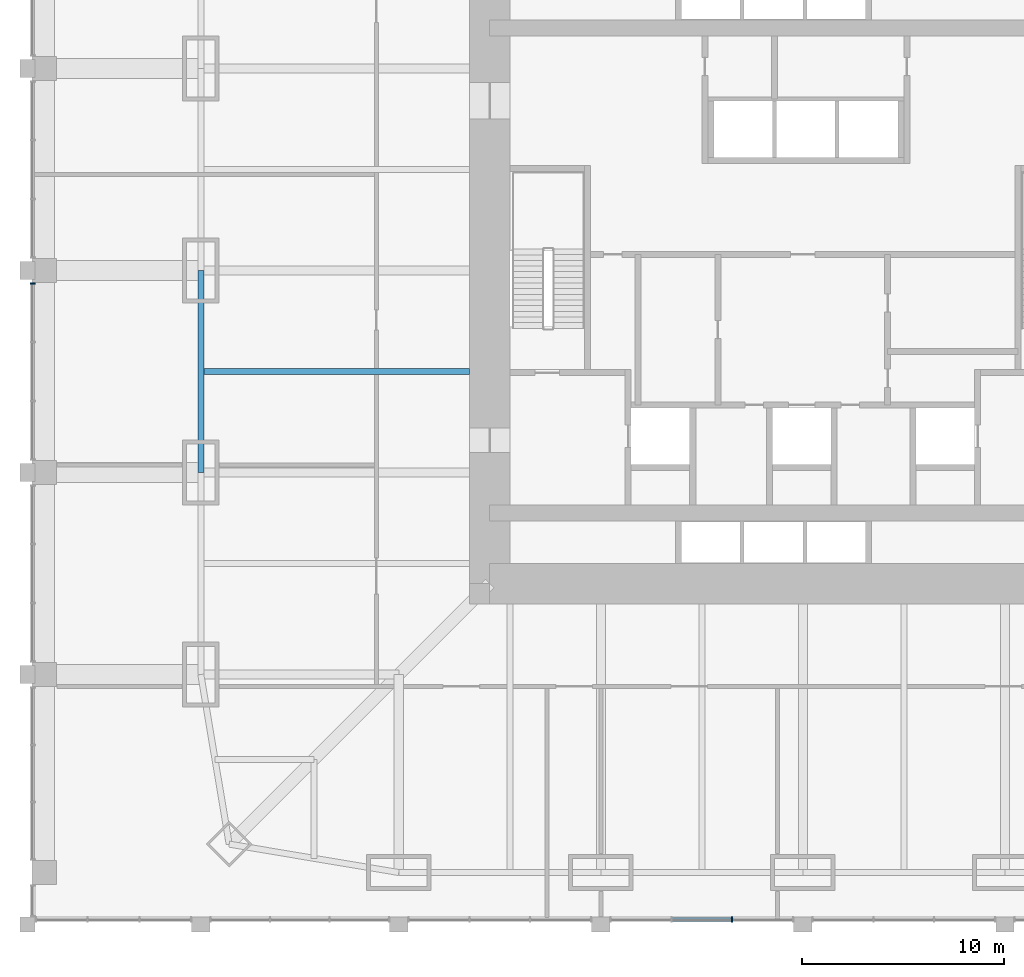
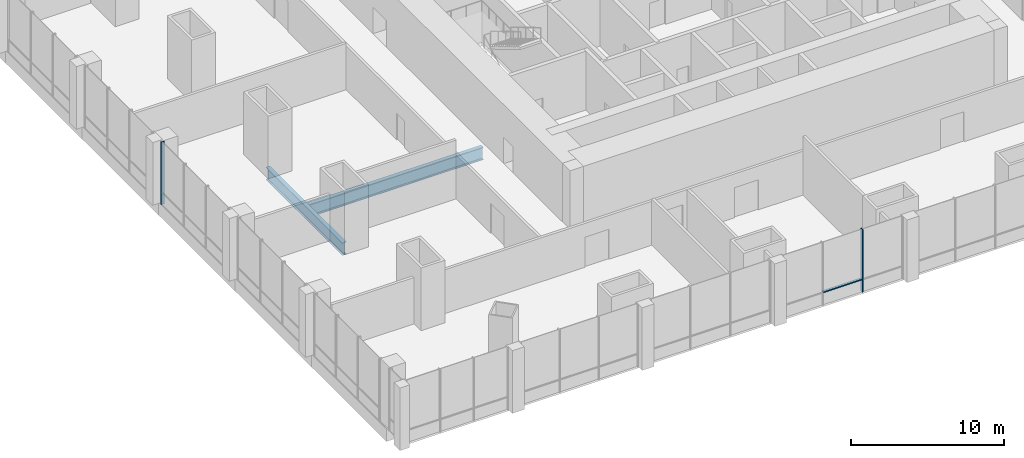
# One storey, part 3 of 24: 3 members, 2 beams, 2 elements without a shape of their own.
"""IFC4 building model written with IfcOpenShell, lengths in metres."""

from ifc_helpers import new_model, si_unit, direction, frame, origin, origin_2d, place, context, subcontext, project, spatial, rectangle, i_section, extrude, material, material_profile, profile_set, type_object, element, aggregate, save


model = new_model("IFC4")

# Units and contexts
model_context = context("Model", 3, precision=1e-05, world=origin(), true_north=direction((0.0, 1.0)))
body_context = subcontext(model_context, "Body", "Model", "MODEL_VIEW")
ifc_project = project(units=[si_unit("LENGTHUNIT", "METRE"), si_unit("AREAUNIT", "SQUARE_METRE"), si_unit("VOLUMEUNIT", "CUBIC_METRE"), si_unit("PLANEANGLEUNIT", "RADIAN"), si_unit("MASSUNIT", "GRAM", prefix="KILO")], contexts=[model_context])

# Site, building, storey
site_placement = place(None, origin())
site = spatial("IfcSite", under=ifc_project, at=site_placement, CompositionType="ELEMENT")
building_placement = place(site_placement, origin())
building = spatial("IfcBuilding", under=site, at=building_placement, Name="Khuree Lantern Residences", CompositionType="ELEMENT")
storey_placement = place(building_placement, frame((0.0, 0.0, 6.0)))
storey = spatial("IfcBuildingStorey", under=building, at=storey_placement, Name="L01", CompositionType="ELEMENT", Elevation=6.0)

# Beams
ifc_material_1 = material(Name="Steel S355", Category="steel")
ifc_material_profile_1 = material_profile(ifc_material_1, i_section(OverallWidth=0.300048828125, OverallDepth=1.0, WebThickness=0.01904296875, FlangeThickness=0.035888671875, FilletRadius=0.030029296875, at=origin_2d()), Name="HE 1000 B")
ifc_profile_set_1 = profile_set([ifc_material_profile_1], Name="Steel S355")
beam_type_1 = type_object("IfcBeamType", Name="B-01 SECONDARY BEAM HE 1000 B", PredefinedType="BEAM", material=ifc_profile_set_1)
beam_1_placement = place(storey_placement, frame((-29.800048828125, -5.0, -0.800048828125), z_axis=(1.0, 0.0, 0.0), x_axis=(0.0, 1.0, 0.0)))
element("IfcBeam", 1, at=beam_1_placement, inside=storey, type_object=beam_type_1, Name="Secondary beam W3", PredefinedType="BEAM", context=body_context, shape_type="SweptSolid", body=[
    extrude(i_section(OverallWidth=0.300048828125, OverallDepth=1.0, WebThickness=0.01904296875, FlangeThickness=0.035888671875, FilletRadius=0.030029296875, at=origin_2d()), origin(), (0.0, 0.0, 1.0), 13.300048828125),
])
ifc_material_profile_2 = material_profile(ifc_material_1, i_section(OverallWidth=0.300048828125, OverallDepth=1.0, WebThickness=0.01904296875, FlangeThickness=0.035888671875, FilletRadius=0.030029296875, at=origin_2d()), Name="HE 1000 B")
ifc_profile_set_2 = profile_set([ifc_material_profile_2], Name="Steel S355")
beam_type_2 = type_object("IfcBeamType", Name="E-01 SPANDREL BEAM HE 1000 B", PredefinedType="SPANDREL", material=ifc_profile_set_2)
beam_2_placement = place(storey_placement, frame((-29.800048828125, -10.0, -0.800048828125), z_axis=(0.0, 1.0, 0.0), x_axis=(-1.0, 0.0, 0.0)))
element("IfcBeam", 2, at=beam_2_placement, inside=storey, type_object=beam_type_2, Name="Spandrel beam W3", PredefinedType="SPANDREL", context=body_context, shape_type="SweptSolid", body=[
    extrude(i_section(OverallWidth=0.300048828125, OverallDepth=1.0, WebThickness=0.01904296875, FlangeThickness=0.035888671875, FilletRadius=0.030029296875, at=origin_2d()), origin(), (0.0, 0.0, 1.0), 10.0),
])

# Curtain wall, member
ifc_material_2 = material(Name="Bronze anodised aluminium", Category="aluminium")
curtain_wall_type = type_object("IfcCurtainWallType", Name="CW-P PODIUM STOREFRONT CURTAIN WALL", PredefinedType="USERDEFINED", material=ifc_material_2)
curtain_wall_1_placement = place(storey_placement, origin())
curtain_wall_1 = element("IfcCurtainWall", 3, at=curtain_wall_1_placement, inside=storey, type_object=curtain_wall_type, Name="L01 SOUTH FACE BAY 4 STOREFRONT", ObjectType="Storefront curtain wall", PredefinedType="USERDEFINED")
ifc_material_profile_3 = material_profile(ifc_material_2, rectangle(XDim=0.074951171875, YDim=0.25, at=origin_2d()), Name="M5 75X250")
ifc_profile_set_3 = profile_set([ifc_material_profile_3], Name="Bronze anodised aluminium")
member_type_1 = type_object("IfcMemberType", Name="MULLION M5 STOREFRONT 75X250", PredefinedType="MULLION", material=ifc_profile_set_3)
member_1_placement = place(storey_placement, frame((-3.495849609375, -32.125, 0.0), z_axis=(0.0, 0.0, 1.0), x_axis=(1.0, 0.0, 0.0)))
member_1 = element("IfcMember", 4, at=member_1_placement, type_object=member_type_1, Name="L01 SOUTH FACE BAY 4 MULLION 3", PredefinedType="MULLION", context=body_context, shape_type="SweptSolid", body=[
    extrude(rectangle(XDim=0.074951171875, YDim=0.25, at=origin_2d()), origin(), (0.0, 0.0, 1.0), 5.0),
])

curtain_wall_2_placement = place(storey_placement, origin())
curtain_wall_2 = element("IfcCurtainWall", 5, at=curtain_wall_2_placement, inside=storey, type_object=curtain_wall_type, Name="L01 WEST FACE BAY 6 STOREFRONT", ObjectType="Storefront curtain wall", PredefinedType="USERDEFINED")
member_2_placement = place(storey_placement, frame((-38.125, -0.637451171875, 0.0), z_axis=(0.0, 0.0, 1.0), x_axis=(0.0, -1.0, 0.0)))
member_2 = element("IfcMember", 6, at=member_2_placement, type_object=member_type_1, Name="L01 WEST FACE BAY 6 MULLION 1", PredefinedType="MULLION", context=body_context, shape_type="SweptSolid", body=[
    extrude(rectangle(XDim=0.074951171875, YDim=0.25, at=origin_2d()), origin(), (0.0, 0.0, 1.0), 5.0),
])
aggregate(curtain_wall_2, [member_2])

# Member
ifc_material_profile_4 = material_profile(ifc_material_2, rectangle(XDim=0.199951171875, YDim=0.074951171875, at=origin_2d()), Name="T5 200X75")
ifc_profile_set_4 = profile_set([ifc_material_profile_4], Name="Bronze anodised aluminium")
member_type_2 = type_object("IfcMemberType", Name="TRANSOM T5 STOREFRONT 200X75", PredefinedType="USERDEFINED", material=ifc_profile_set_4)
member_3_placement = place(storey_placement, frame((-6.466552734375, -32.1201171875, 1.0), z_axis=(1.0, 0.0, 0.0), x_axis=(0.0, 1.0, 0.0)))
member_3 = element("IfcMember", 7, at=member_3_placement, type_object=member_type_2, Name="L01 SOUTH FACE BAY 4 TRANSOM 2", ObjectType="Transom", PredefinedType="USERDEFINED", context=body_context, shape_type="SweptSolid", body=[
    extrude(rectangle(XDim=0.199951171875, YDim=0.074951171875, at=origin_2d()), origin(), (0.0, 0.0, 1.0), 2.93310546875),
])

aggregate(curtain_wall_1, [member_1, member_3])

save(model, "model.ifc")
